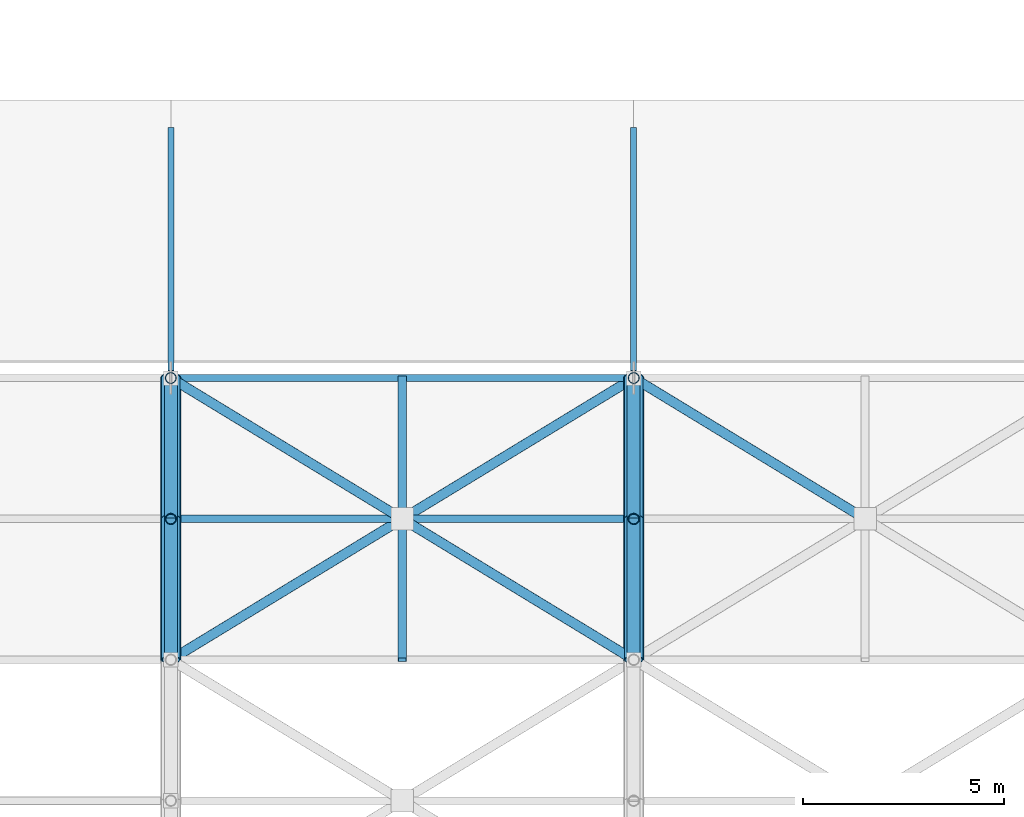
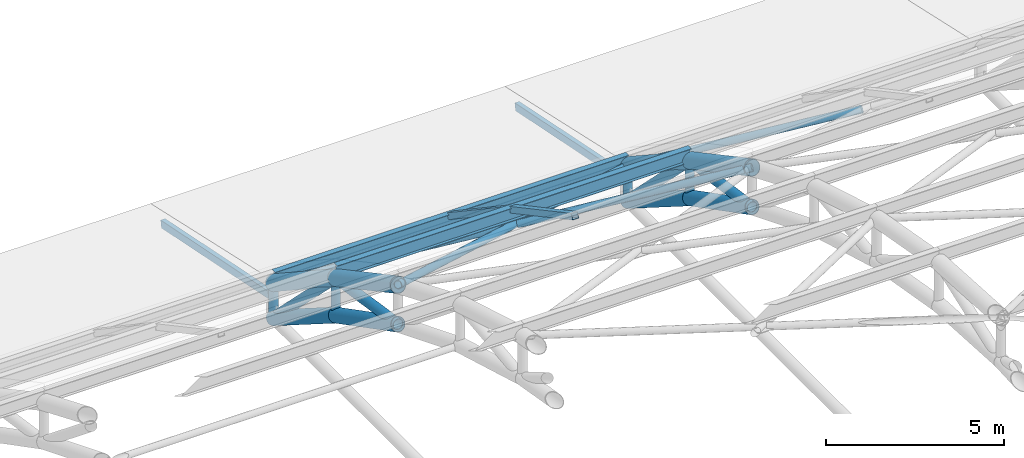
# One storey, part 78 of 154: 26 members.
"""IFC4 building model written with IfcOpenShell, lengths in metres."""

from ifc_helpers import new_model, si_unit, direction, frame, origin, origin_2d, place, context, subcontext, project, spatial, hollow_rectangle, hollow_circle, i_section, extrude, material, material_profile, profile_set, type_object, element, save


model = new_model("IFC4")

# Units and contexts
model_context = context("Model", 3, precision=1e-05, world=origin(), true_north=direction((0.0, 1.0)))
body_context = subcontext(model_context, "Body", "Model", "MODEL_VIEW")
ifc_project = project(units=[si_unit("LENGTHUNIT", "METRE"), si_unit("AREAUNIT", "SQUARE_METRE"), si_unit("VOLUMEUNIT", "CUBIC_METRE"), si_unit("PLANEANGLEUNIT", "RADIAN"), si_unit("MASSUNIT", "GRAM", prefix="KILO")], contexts=[model_context])

# Site, building, storey
site_placement = place(None, origin())
site = spatial("IfcSite", under=ifc_project, at=site_placement, CompositionType="ELEMENT")
building_placement = place(site_placement, origin())
building = spatial("IfcBuilding", under=site, at=building_placement, Name="Ologun Quay Terminus", CompositionType="ELEMENT")
storey_placement = place(building_placement, frame((0.0, 0.0, 13.800048828125)))
storey = spatial("IfcBuildingStorey", under=building, at=storey_placement, Name="L03", CompositionType="ELEMENT", Elevation=13.800048828125)

# Members
ifc_material_1 = material(Name="Steel S355", Category="steel")
ifc_material_profile_1 = material_profile(ifc_material_1, hollow_circle(Radius=0.136474609375, WallThickness=0.010009765625, at=origin_2d()), Name="CHS 273x10")
ifc_profile_set_1 = profile_set([ifc_material_profile_1], Name="Steel S355")
member_type_1 = type_object("IfcMemberType", Name="Arch Truss Vertical Post CHS273", PredefinedType="STRUT", material=ifc_profile_set_1)
member_1_placement = place(storey_placement, frame((80.5, 74.5, 2.212158203125), z_axis=(0.0, 0.0, 1.0), x_axis=(1.0, 0.0, 0.0)))
element("IfcMember", 1, at=member_1_placement, inside=storey, type_object=member_type_1, Name="AW2 Arch Web Post 8-N11", PredefinedType="STRUT", context=body_context, shape_type="SweptSolid", body=[
    extrude(hollow_circle(Radius=0.136474609375, WallThickness=0.010009765625, at=origin_2d()), origin(), (0.0, 0.0, 1.0), 1.28564453125),
])
member_2_placement = place(storey_placement, frame((80.5, 78.0, 0.0), z_axis=(0.0, 0.0, 1.0), x_axis=(1.0, 0.0, 0.0)))
element("IfcMember", 2, at=member_2_placement, inside=storey, type_object=member_type_1, Name="AW2 Arch Web Post 8-N12", PredefinedType="STRUT", context=body_context, shape_type="SweptSolid", body=[
    extrude(hollow_circle(Radius=0.136474609375, WallThickness=0.010009765625, at=origin_2d()), origin(), (0.0, 0.0, 1.0), 1.199951171875),
])
member_3_placement = place(storey_placement, frame((92.0, 74.5, 2.212158203125), z_axis=(0.0, 0.0, 1.0), x_axis=(1.0, 0.0, 0.0)))
element("IfcMember", 3, at=member_3_placement, inside=storey, type_object=member_type_1, Name="AW2 Arch Web Post 9-N11", PredefinedType="STRUT", context=body_context, shape_type="SweptSolid", body=[
    extrude(hollow_circle(Radius=0.136474609375, WallThickness=0.010009765625, at=origin_2d()), origin(), (0.0, 0.0, 1.0), 1.28564453125),
])
member_4_placement = place(storey_placement, frame((92.0, 78.0, 0.0), z_axis=(0.0, 0.0, 1.0), x_axis=(1.0, 0.0, 0.0)))
element("IfcMember", 4, at=member_4_placement, inside=storey, type_object=member_type_1, Name="AW2 Arch Web Post 9-N12", PredefinedType="STRUT", context=body_context, shape_type="SweptSolid", body=[
    extrude(hollow_circle(Radius=0.136474609375, WallThickness=0.010009765625, at=origin_2d()), origin(), (0.0, 0.0, 1.0), 1.199951171875),
])
ifc_material_2 = material(Name="Steel S355", Category="steel")
ifc_material_profile_2 = material_profile(ifc_material_2, hollow_circle(Radius=0.161865234375, WallThickness=0.010009765625, at=origin_2d()), Name="CHS 323.9x10")
ifc_profile_set_2 = profile_set([ifc_material_profile_2], Name="Steel S355")
member_type_2 = type_object("IfcMemberType", Name="Arch Truss Web Diagonal CHS323", PredefinedType="BRACE", material=ifc_profile_set_2)
member_5_placement = place(storey_placement, frame((80.5, 71.0, 4.022216796875), z_axis=(0.0, 0.988960627525, -0.148178531524), x_axis=(-1.0, 0.0, 0.0)))
element("IfcMember", 5, at=member_5_placement, inside=storey, type_object=member_type_2, Name="AW1 Arch Web Diagonal 8-P11", PredefinedType="BRACE", context=body_context, shape_type="SweptSolid", body=[
    extrude(hollow_circle(Radius=0.161865234375, WallThickness=0.010009765625, at=origin_2d()), origin(), (0.0, 0.0, 1.0), 3.5390625),
])
member_6_placement = place(storey_placement, frame((80.5, 74.5, 3.497802734375), z_axis=(0.0, 0.707328773357, -0.706884719301), x_axis=(-1.0, 0.0, 0.0)))
element("IfcMember", 6, at=member_6_placement, inside=storey, type_object=member_type_2, Name="AW1 Arch Web Diagonal 8-P12", PredefinedType="BRACE", context=body_context, shape_type="SweptSolid", body=[
    extrude(hollow_circle(Radius=0.161865234375, WallThickness=0.010009765625, at=origin_2d()), origin(), (0.0, 0.0, 1.0), 4.9482421875),
])
member_7_placement = place(storey_placement, frame((92.0, 71.0, 4.022216796875), z_axis=(0.0, 0.988960627525, -0.148178531524), x_axis=(-1.0, 0.0, 0.0)))
element("IfcMember", 7, at=member_7_placement, inside=storey, type_object=member_type_2, Name="AW1 Arch Web Diagonal 9-P11", PredefinedType="BRACE", context=body_context, shape_type="SweptSolid", body=[
    extrude(hollow_circle(Radius=0.161865234375, WallThickness=0.010009765625, at=origin_2d()), origin(), (0.0, 0.0, 1.0), 3.5390625),
])
member_8_placement = place(storey_placement, frame((92.0, 74.5, 3.497802734375), z_axis=(0.0, 0.707328773357, -0.706884719301), x_axis=(-1.0, 0.0, 0.0)))
element("IfcMember", 8, at=member_8_placement, inside=storey, type_object=member_type_2, Name="AW1 Arch Web Diagonal 9-P12", PredefinedType="BRACE", context=body_context, shape_type="SweptSolid", body=[
    extrude(hollow_circle(Radius=0.161865234375, WallThickness=0.010009765625, at=origin_2d()), origin(), (0.0, 0.0, 1.0), 4.9482421875),
])
ifc_material_3 = material(Name="Steel S355", Category="steel")
ifc_material_profile_3 = material_profile(ifc_material_3, hollow_circle(Radius=0.228515625, WallThickness=0.01611328125, at=origin_2d()), Name="CHS 457x16")
ifc_profile_set_3 = profile_set([ifc_material_profile_3], Name="Steel S355")
member_type_3 = type_object("IfcMemberType", Name="Parabolic Arch Bottom Chord CHS457", PredefinedType="CHORD", material=ifc_profile_set_3)
member_9_placement = place(storey_placement, frame((80.5, 71.0, 4.022216796875), z_axis=(0.0, 0.888247284083, -0.459365608551), x_axis=(-1.0, 0.0, 0.0)))
element("IfcMember", 9, at=member_9_placement, inside=storey, type_object=member_type_3, Name="AC2 Arch Bottom Chord 8-P11", PredefinedType="CHORD", context=body_context, shape_type="SweptSolid", body=[
    extrude(hollow_circle(Radius=0.228515625, WallThickness=0.01611328125, at=origin_2d()), origin(), (0.0, 0.0, 1.0), 3.9404296875),
])
member_10_placement = place(storey_placement, frame((80.5, 74.5, 2.212158203125), z_axis=(0.0, 0.845310912611, -0.534274705578), x_axis=(-1.0, 0.0, 0.0)))
element("IfcMember", 10, at=member_10_placement, inside=storey, type_object=member_type_3, Name="AC2 Arch Bottom Chord 8-P12", PredefinedType="CHORD", context=body_context, shape_type="SweptSolid", body=[
    extrude(hollow_circle(Radius=0.228515625, WallThickness=0.01611328125, at=origin_2d()), origin(), (0.0, 0.0, 1.0), 4.140380859375),
])
member_11_placement = place(storey_placement, frame((92.0, 71.0, 4.022216796875), z_axis=(0.0, 0.888247284083, -0.459365608551), x_axis=(-1.0, 0.0, 0.0)))
element("IfcMember", 11, at=member_11_placement, inside=storey, type_object=member_type_3, Name="AC2 Arch Bottom Chord 9-P11", PredefinedType="CHORD", context=body_context, shape_type="SweptSolid", body=[
    extrude(hollow_circle(Radius=0.228515625, WallThickness=0.01611328125, at=origin_2d()), origin(), (0.0, 0.0, 1.0), 3.9404296875),
])
member_12_placement = place(storey_placement, frame((92.0, 74.5, 2.212158203125), z_axis=(0.0, 0.845310912611, -0.534274705578), x_axis=(-1.0, 0.0, 0.0)))
element("IfcMember", 12, at=member_12_placement, inside=storey, type_object=member_type_3, Name="AC2 Arch Bottom Chord 9-P12", PredefinedType="CHORD", context=body_context, shape_type="SweptSolid", body=[
    extrude(hollow_circle(Radius=0.228515625, WallThickness=0.01611328125, at=origin_2d()), origin(), (0.0, 0.0, 1.0), 4.140380859375),
])
ifc_material_4 = material(Name="Steel S355", Category="steel")
ifc_material_profile_4 = material_profile(ifc_material_4, hollow_circle(Radius=0.25390625, WallThickness=0.01611328125, at=origin_2d()), Name="CHS 508x16")
ifc_profile_set_4 = profile_set([ifc_material_profile_4], Name="Steel S355")
member_type_4 = type_object("IfcMemberType", Name="Parabolic Arch Top Chord CHS508", PredefinedType="CHORD", material=ifc_profile_set_4)
member_13_placement = place(storey_placement, frame((80.5, 71.0, 5.377685546875), z_axis=(0.0, 0.880967864924, -0.473176099324), x_axis=(-1.0, 0.0, 0.0)))
element("IfcMember", 13, at=member_13_placement, inside=storey, type_object=member_type_4, Name="Arch Top Chord 8-P11", PredefinedType="CHORD", context=body_context, shape_type="SweptSolid", body=[
    extrude(hollow_circle(Radius=0.25390625, WallThickness=0.01611328125, at=origin_2d()), origin(), (0.0, 0.0, 1.0), 3.972900390625),
])
member_14_placement = place(storey_placement, frame((80.5, 74.5, 3.497802734375), z_axis=(0.0, 0.835940905918, -0.548819461949), x_axis=(-1.0, 0.0, 0.0)))
element("IfcMember", 14, at=member_14_placement, inside=storey, type_object=member_type_4, Name="Arch Top Chord 8-P12", PredefinedType="CHORD", context=body_context, shape_type="SweptSolid", body=[
    extrude(hollow_circle(Radius=0.25390625, WallThickness=0.01611328125, at=origin_2d()), origin(), (0.0, 0.0, 1.0), 4.18701171875),
])
member_15_placement = place(storey_placement, frame((92.0, 71.0, 5.377685546875), z_axis=(0.0, 0.880967864924, -0.473176099324), x_axis=(-1.0, 0.0, 0.0)))
element("IfcMember", 15, at=member_15_placement, inside=storey, type_object=member_type_4, Name="Arch Top Chord 9-P11", PredefinedType="CHORD", context=body_context, shape_type="SweptSolid", body=[
    extrude(hollow_circle(Radius=0.25390625, WallThickness=0.01611328125, at=origin_2d()), origin(), (0.0, 0.0, 1.0), 3.972900390625),
])
member_16_placement = place(storey_placement, frame((92.0, 74.5, 3.497802734375), z_axis=(0.0, 0.835940905918, -0.548819461949), x_axis=(-1.0, 0.0, 0.0)))
element("IfcMember", 16, at=member_16_placement, inside=storey, type_object=member_type_4, Name="Arch Top Chord 9-P12", PredefinedType="CHORD", context=body_context, shape_type="SweptSolid", body=[
    extrude(hollow_circle(Radius=0.25390625, WallThickness=0.01611328125, at=origin_2d()), origin(), (0.0, 0.0, 1.0), 4.18701171875),
])
ifc_material_5 = material(Name="Steel S355", Category="steel")
ifc_material_profile_5 = material_profile(ifc_material_5, hollow_circle(Radius=0.122314453125, WallThickness=0.008056640625, at=origin_2d()), Name="CHS 244.5x8")
ifc_profile_set_5 = profile_set([ifc_material_profile_5], Name="Steel S355")
member_type_5 = type_object("IfcMemberType", Name="Roof Plan Wind Brace Primary CHS244", PredefinedType="BRACE", material=ifc_profile_set_5)
member_17_placement = place(storey_placement, frame((80.5, 71.0, 5.377685546875), z_axis=(0.815821451603, 0.496586970541, -0.296372636715), x_axis=(-0.519946946896, 0.854198555614, 0.0)))
element("IfcMember", 17, at=member_17_placement, inside=storey, type_object=member_type_5, Name="Roof Wind Brace A B8-K10", PredefinedType="BRACE", context=body_context, shape_type="SweptSolid", body=[
    extrude(hollow_circle(Radius=0.122314453125, WallThickness=0.008056640625, at=origin_2d()), origin(), (0.0, 0.0, 1.0), 14.09619140625),
])
for number, where, z_axis, x_axis, name in (
    (18, (80.5, 78.0, 1.199951171875), (0.815823185614, -0.496583416265, 0.29637381886), (0.51994342513, 0.854200699288, 0.0), "Roof Wind Brace B1 B8-K10"),
    (19, (86.3642578125, 74.430419921875, 3.330322265625), (0.815823185614, -0.496583416265, 0.29637381886), (0.51994342513, 0.854200699288, 0.0), "Roof Wind Brace B2 B8-K10"),
    (20, (92.0, 78.0, 1.199951171875), (0.815823185614, -0.496583416265, 0.29637381886), (0.51994342513, 0.854200699288, 0.0), "Roof Wind Brace B1 B9-K10"),
):
    element("IfcMember", number, at=place(storey_placement, frame(where, z_axis=z_axis, x_axis=x_axis)), inside=storey, type_object=member_type_5, Name=name, PredefinedType="BRACE", context=body_context, shape_type="SweptSolid", body=[
        extrude(hollow_circle(Radius=0.122314453125, WallThickness=0.008056640625, at=origin_2d()), origin(), (0.0, 0.0, 1.0), 6.907958984375),
    ])
ifc_material_6 = material(Name="Steel S355", Category="steel")
ifc_material_profile_6 = material_profile(ifc_material_6, hollow_rectangle(XDim=0.199951171875, YDim=0.199951171875, WallThickness=0.008056640625, at=origin_2d()), Name="SHS 200x200x8")
ifc_profile_set_6 = profile_set([ifc_material_profile_6], Name="Steel S355")
member_type_6 = type_object("IfcMemberType", Name="Skylight Cross Transom Bar RHS150", PredefinedType="STRUT", material=ifc_profile_set_6)
member_18_placement = place(storey_placement, frame((86.25, 71.0, 5.731689453125), z_axis=(0.0, 0.880967864924, -0.473176099324), x_axis=(-1.0, 0.0, 0.0)))
element("IfcMember", 21, at=member_18_placement, inside=storey, type_object=member_type_6, Name="SK2 Eave Secondary Rafter B8-P11", PredefinedType="STRUT", context=body_context, shape_type="SweptSolid", body=[
    extrude(hollow_rectangle(XDim=0.199951171875, YDim=0.199951171875, WallThickness=0.008056640625, at=origin_2d()), origin(), (0.0, 0.0, 1.0), 3.972900390625),
])
member_19_placement = place(storey_placement, frame((86.25, 74.5, 3.851806640625), z_axis=(0.0, 0.830398014247, -0.55717065423), x_axis=(-1.0, 0.0, 0.0)))
element("IfcMember", 22, at=member_19_placement, inside=storey, type_object=member_type_6, Name="SK2 Eave Secondary Rafter B8-P12", PredefinedType="STRUT", context=body_context, shape_type="SweptSolid", body=[
    extrude(hollow_rectangle(XDim=0.199951171875, YDim=0.199951171875, WallThickness=0.008056640625, at=origin_2d()), origin(), (0.0, 0.0, 1.0), 4.21484375),
])
ifc_material_7 = material(Name="Steel S355", Category="steel")
ifc_material_profile_7 = material_profile(ifc_material_7, hollow_rectangle(XDim=0.14990234375, YDim=0.25, WallThickness=0.008056640625, at=origin_2d()), Name="RHS 250x150x8")
ifc_profile_set_7 = profile_set([ifc_material_profile_7], Name="Steel S355")
member_type_7 = type_object("IfcMemberType", Name="Skylight Longitudinal Glazing Bar RHS200", PredefinedType="PURLIN", material=ifc_profile_set_7)
for number, where, z_axis, x_axis, name in (
    (23, (80.5, 84.199951171875, -0.520263671875), (0.0, -0.98005285553, 0.19873701308), (1.0, 0.0, 0.0), "SK1 Inclined Roof Rafter L03-NGAL-8"),
    (24, (92.0, 84.199951171875, -0.520263671875), (0.0, -0.98005285553, 0.19873701308), (1.0, 0.0, 0.0), "SK1 Inclined Roof Rafter L03-NGAL-9"),
):
    element("IfcMember", number, at=place(storey_placement, frame(where, z_axis=z_axis, x_axis=x_axis)), inside=storey, type_object=member_type_7, Name=name, PredefinedType="PURLIN", context=body_context, shape_type="SweptSolid", body=[
        extrude(hollow_rectangle(XDim=0.14990234375, YDim=0.25, WallThickness=0.008056640625, at=origin_2d()), origin(), (0.0, 0.0, 1.0), 6.16064453125),
    ])
ifc_material_8 = material(Name="Steel S355", Category="steel")
ifc_material_profile_8 = material_profile(ifc_material_8, i_section(OverallWidth=0.177978515625, OverallDepth=0.406494140625, WebThickness=0.0078125, FlangeThickness=0.0126953125, at=origin_2d()), Name="UKB 406x178x60")
ifc_profile_set_8 = profile_set([ifc_material_profile_8], Name="Steel S355")
member_type_8 = type_object("IfcMemberType", Name="Train Shed Eave & Ridge Purlin UKB406", PredefinedType="PURLIN", material=ifc_profile_set_8)
member_20_placement = place(storey_placement, frame((80.5, 78.0, 1.403076171875), z_axis=(1.0, 0.0, 0.0), x_axis=(0.0, 1.0, 0.0)))
element("IfcMember", 25, at=member_20_placement, inside=storey, type_object=member_type_8, Name="PR2 Roof Purlin B8-N12", PredefinedType="PURLIN", context=body_context, shape_type="SweptSolid", body=[
    extrude(i_section(OverallWidth=0.177978515625, OverallDepth=0.406494140625, WebThickness=0.0078125, FlangeThickness=0.0126953125, at=origin_2d()), origin(), (0.0, 0.0, 1.0), 11.5),
])
ifc_material_9 = material(Name="Steel S355", Category="steel")
ifc_material_profile_9 = material_profile(ifc_material_9, i_section(OverallWidth=0.1904296875, OverallDepth=0.45703125, WebThickness=0.009033203125, FlangeThickness=0.014404296875, at=origin_2d()), Name="UKB 457x191x74")
ifc_profile_set_9 = profile_set([ifc_material_profile_9], Name="Steel S355")
member_type_9 = type_object("IfcMemberType", Name="Train Shed Primary Roof Purlin UKB457", PredefinedType="PURLIN", material=ifc_profile_set_9)
member_21_placement = place(storey_placement, frame((80.5, 74.5, 3.726318359375), z_axis=(1.0, 0.0, 0.0), x_axis=(0.0, 1.0, 0.0)))
element("IfcMember", 26, at=member_21_placement, inside=storey, type_object=member_type_9, Name="PR1 Roof Purlin B8-N11", PredefinedType="PURLIN", context=body_context, shape_type="SweptSolid", body=[
    extrude(i_section(OverallWidth=0.1904296875, OverallDepth=0.45703125, WebThickness=0.009033203125, FlangeThickness=0.014404296875, at=origin_2d()), origin(), (0.0, 0.0, 1.0), 11.5),
])

save(model, "model.ifc")
